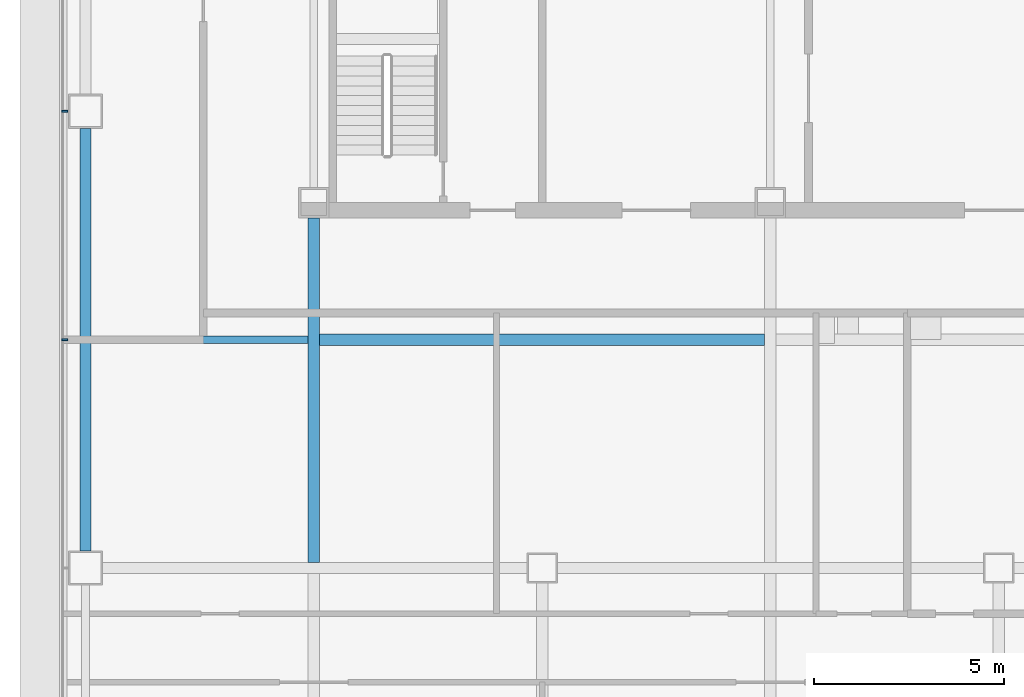
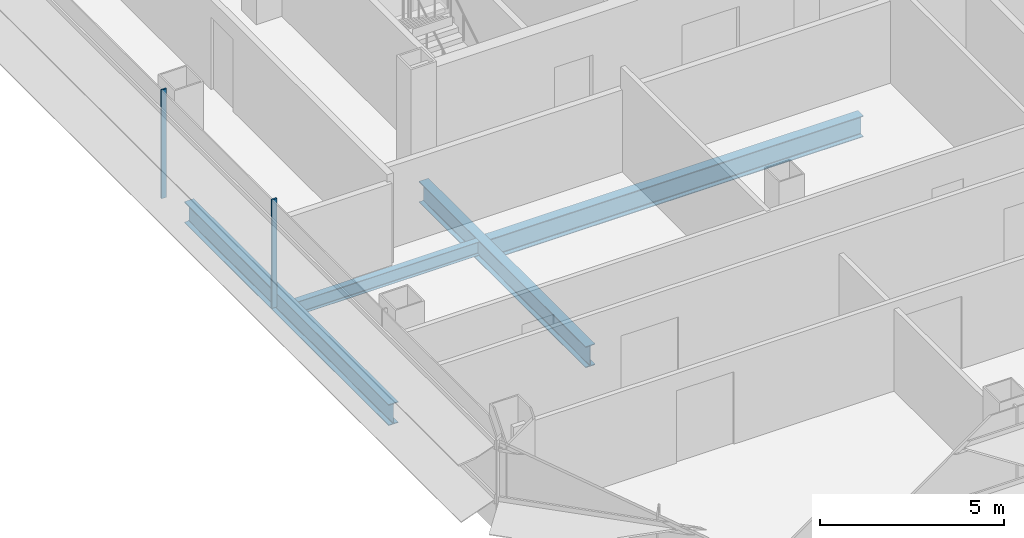
# One storey, part 4 of 26: 4 beams, 2 members, 1 element without a shape of its own.
"""IFC4 building model written with IfcOpenShell, lengths in metres."""

from ifc_helpers import new_model, si_unit, direction, frame, origin, origin_2d, place, context, subcontext, project, spatial, rectangle, i_section, extrude, material, material_profile, profile_set, type_object, element, aggregate, save


model = new_model("IFC4")

# Units and contexts
model_context = context("Model", 3, precision=1e-05, world=origin(), true_north=direction((0.0, 1.0)))
body_context = subcontext(model_context, "Body", "Model", "MODEL_VIEW")
ifc_project = project(units=[si_unit("LENGTHUNIT", "METRE"), si_unit("AREAUNIT", "SQUARE_METRE"), si_unit("VOLUMEUNIT", "CUBIC_METRE"), si_unit("PLANEANGLEUNIT", "RADIAN"), si_unit("MASSUNIT", "GRAM", prefix="KILO")], contexts=[model_context])

# Site, building, storey
site_placement = place(None, origin())
site = spatial("IfcSite", under=ifc_project, at=site_placement, CompositionType="ELEMENT")
building_placement = place(site_placement, origin())
building = spatial("IfcBuilding", under=site, at=building_placement, Name="Sorahane Residences", CompositionType="ELEMENT")
storey_placement = place(building_placement, frame((0.0, 0.0, 71.39990234375)))
storey = spatial("IfcBuildingStorey", under=building, at=storey_placement, Name="L14", CompositionType="ELEMENT", Elevation=71.39990234375)

# Curtain wall, members
ifc_material_1 = material(Name="Dark low-e glass and black anodised aluminium", Category="aluminium")
curtain_wall_type = type_object("IfcCurtainWallType", Name="Curtain wall CW-1 Typical unitised wall", PredefinedType="NOTDEFINED", material=ifc_material_1)
curtain_wall_placement = place(storey_placement, origin())
curtain_wall = element("IfcCurtainWall", 1, at=curtain_wall_placement, inside=storey, type_object=curtain_wall_type, Name="CW-1 curtain wall L14 W1", PredefinedType="NOTDEFINED")
ifc_material_2 = material(Name="Black anodised aluminium", Category="aluminium")
ifc_material_profile_1 = material_profile(ifc_material_2, rectangle(XDim=0.159912109375, YDim=0.050048828125, at=origin_2d()), Name="Curtain wall mullion CW-1 black anodised aluminium 50x160")
ifc_profile_set_1 = profile_set([ifc_material_profile_1], Name="Black anodised aluminium")
member_type = type_object("IfcMemberType", Name="Curtain wall mullion CW-1 black anodised aluminium 50x160", PredefinedType="MULLION", material=ifc_profile_set_1)
member_1_placement = place(storey_placement, frame((-0.5400390625, 24.0, -0.179931640625), z_axis=(0.0, 0.0, 1.0), x_axis=(-1.0, 0.0, 0.0)))
member_1 = element("IfcMember", 2, at=member_1_placement, type_object=member_type, Name="CW-1 mullion L14 W1.4", PredefinedType="MULLION", context=body_context, shape_type="SweptSolid", body=[
    extrude(rectangle(XDim=0.159912109375, YDim=0.050048828125, at=origin_2d()), origin(), (0.0, 0.0, 1.0), 3.60009765625),
])
member_2_placement = place(storey_placement, frame((-0.5400390625, 18.0, -0.179931640625), z_axis=(0.0, 0.0, 1.0), x_axis=(-1.0, 0.0, 0.0)))
member_2 = element("IfcMember", 3, at=member_2_placement, type_object=member_type, Name="CW-1 mullion L14 W1.5", PredefinedType="MULLION", context=body_context, shape_type="SweptSolid", body=[
    extrude(rectangle(XDim=0.159912109375, YDim=0.050048828125, at=origin_2d()), origin(), (0.0, 0.0, 1.0), 3.60009765625),
])
aggregate(curtain_wall, [member_1, member_2])

# Beams
ifc_material_3 = material(Name="Steel Q355B", Category="steel")
ifc_material_profile_2 = material_profile(ifc_material_3, i_section(OverallWidth=0.199951171875, OverallDepth=0.449951171875, WebThickness=0.009033203125, FlangeThickness=0.013916015625, FilletRadius=0.02001953125, at=origin_2d()), Name="HN 450x200x9x14")
ifc_profile_set_2 = profile_set([ifc_material_profile_2], Name="Steel Q355B")
beam_type_1 = type_object("IfcBeamType", Name="Steel floor beam HN 450x200x9x14 Q355B", PredefinedType="BEAM", material=ifc_profile_set_2)
beam_1_placement = place(storey_placement, frame((0.14990234375, 18.0, -0.40478515625), z_axis=(1.0, 0.0, 0.0), x_axis=(0.0, 1.0, 0.0)))
element("IfcBeam", 4, at=beam_1_placement, inside=storey, type_object=beam_type_1, Name="Beam L14 070", PredefinedType="BEAM", context=body_context, shape_type="SweptSolid", body=[
    extrude(i_section(OverallWidth=0.199951171875, OverallDepth=0.449951171875, WebThickness=0.009033203125, FlangeThickness=0.013916015625, FilletRadius=0.02001953125, at=origin_2d()), origin(), (0.0, 0.0, 1.0), 5.7001953125),
])
ifc_material_4 = material(Name="Steel Q355B", Category="steel")
ifc_material_profile_3 = material_profile(ifc_material_4, i_section(OverallWidth=0.300048828125, OverallDepth=0.699951171875, WebThickness=0.012939453125, FlangeThickness=0.02392578125, FilletRadius=0.028076171875, at=origin_2d()), Name="HN 700x300x13x24")
ifc_profile_set_3 = profile_set([ifc_material_profile_3], Name="Steel Q355B")
beam_type_2 = type_object("IfcBeamType", Name="Steel floor beam HN 700x300x13x24 Q355B", PredefinedType="BEAM", material=ifc_profile_set_3)
beam_2_placement = place(storey_placement, frame((0.0, 12.449951171875, -0.52978515625), z_axis=(0.0, 1.0, 0.0), x_axis=(-1.0, 0.0, 0.0)))
element("IfcBeam", 5, at=beam_2_placement, inside=storey, type_object=beam_type_2, Name="Beam L14 018", PredefinedType="BEAM", context=body_context, shape_type="SweptSolid", body=[
    extrude(i_section(OverallWidth=0.300048828125, OverallDepth=0.699951171875, WebThickness=0.012939453125, FlangeThickness=0.02392578125, FilletRadius=0.028076171875, at=origin_2d()), origin(), (0.0, 0.0, 1.0), 11.10009765625),
])
beam_3_placement = place(storey_placement, frame((6.0, 12.14990234375, -0.52978515625), z_axis=(0.0, 1.0, 0.0), x_axis=(-1.0, 0.0, 0.0)))
element("IfcBeam", 6, at=beam_3_placement, inside=storey, type_object=beam_type_2, Name="Beam L14 022", PredefinedType="BEAM", context=body_context, shape_type="SweptSolid", body=[
    extrude(i_section(OverallWidth=0.300048828125, OverallDepth=0.699951171875, WebThickness=0.012939453125, FlangeThickness=0.02392578125, FilletRadius=0.028076171875, at=origin_2d()), origin(), (0.0, 0.0, 1.0), 9.050048828125),
])
beam_4_placement = place(storey_placement, frame((6.14990234375, 18.0, -0.52978515625), z_axis=(1.0, 0.0, 0.0), x_axis=(0.0, 1.0, 0.0)))
element("IfcBeam", 7, at=beam_4_placement, inside=storey, type_object=beam_type_2, Name="Beam L14 071", PredefinedType="BEAM", context=body_context, shape_type="SweptSolid", body=[
    extrude(i_section(OverallWidth=0.300048828125, OverallDepth=0.699951171875, WebThickness=0.012939453125, FlangeThickness=0.02392578125, FilletRadius=0.028076171875, at=origin_2d()), origin(), (0.0, 0.0, 1.0), 11.7001953125),
])

save(model, "model.ifc")
